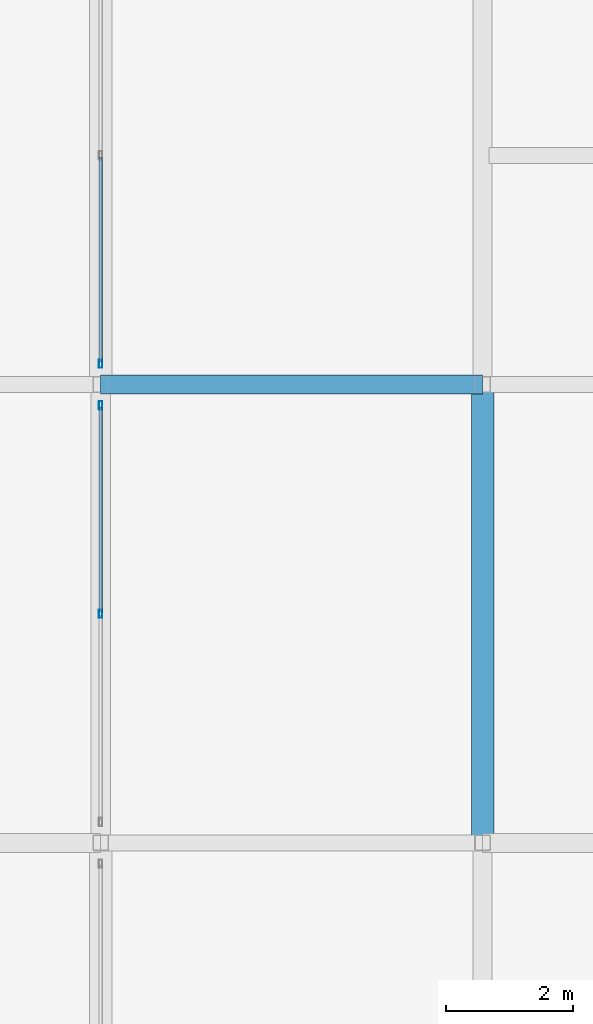
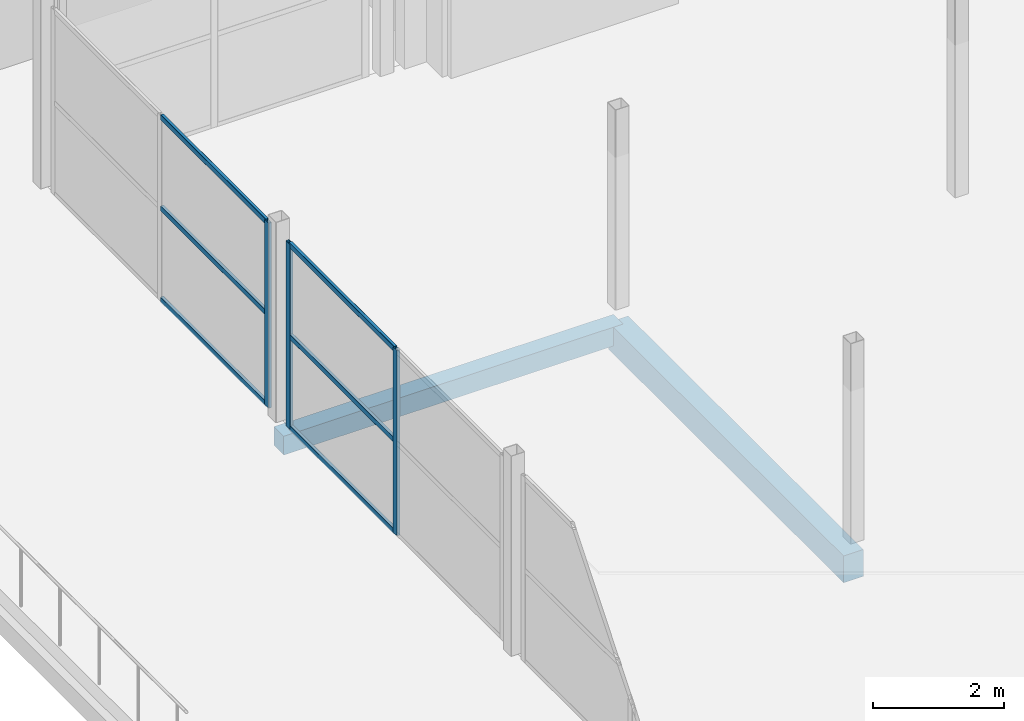
# One storey, part 33 of 239: 9 members, 2 beams, 2 elements without a shape of their own.
"""IFC4 building model written with IfcOpenShell, lengths in metres."""

import ifcopenshell
import ifcopenshell.guid

model = None  # the IFC model being written
_history = None  # IfcOwnerHistory: only IFC2X3 demands one
_inside = {}  # id of a spatial element -> (the spatial element, [elements in it])
_under = {}  # id of a project, library or spatial element -> (it, [spatial elements below it])
_declared = {}  # id of a project -> (the project, [libraries it declares])
_typed = {}  # id of a type object -> (the type object, [elements of that type])
_made_of = {}  # id of a material, layer set ... -> (it, [elements and type objects made of it])


def new_model(schema):
    """Start an empty IFC model of exactly this schema.

    Asked for "IFC4X3", IfcOpenShell would pick the latest addendum, in which some entities
    have other attributes; the version numbers below select the first issue.
    IFC2X3 requires an IfcOwnerHistory on every rooted entity: one is made here for all.
    """
    global model, _history
    if schema == "IFC4X3":
        model = ifcopenshell.file(schema_version=(4, 3, 0, 0))
    else:
        model = ifcopenshell.file(schema=schema)
    _inside.clear()
    _under.clear()
    _declared.clear()
    _typed.clear()
    _made_of.clear()
    _history = None
    if model.schema == "IFC2X3":
        org = make("IfcOrganization", Name="unknown")
        user = make(
            "IfcPersonAndOrganization",
            ThePerson=make("IfcPerson", FamilyName="unknown"),
            TheOrganization=org,
        )
        app = make(
            "IfcApplication",
            ApplicationDeveloper=org,
            Version="unknown",
            ApplicationFullName="unknown",
            ApplicationIdentifier="unknown",
        )
        _history = make(
            "IfcOwnerHistory",
            OwningUser=user,
            OwningApplication=app,
            ChangeAction="ADDED",
            CreationDate=0,
        )
    return model


def make(cls, **values):
    """One entity of the class cls with the attributes given. An attribute that is None is left unset."""
    return model.create_entity(
        cls, **{name: value for name, value in values.items() if value is not None}
    )


def rooted(cls, **values):
    """An entity with a GlobalId (a new one), such as an element, a storey or a relation."""
    return make(cls, GlobalId=ifcopenshell.guid.new(), OwnerHistory=_history, **values)


def si_unit(unit_type, name, prefix=None):
    """IfcSIUnit, for example si_unit("LENGTHUNIT", "METRE", prefix="MILLI")."""
    return make("IfcSIUnit", UnitType=unit_type, Prefix=prefix, Name=name)


def assignment(units):
    """IfcUnitAssignment: the units of a project."""
    return None if units is None else make("IfcUnitAssignment", Units=units)


def point(xyz):
    """IfcCartesianPoint."""
    return None if xyz is None else make("IfcCartesianPoint", Coordinates=xyz)


def direction(xyz):
    """IfcDirection."""
    return None if xyz is None else make("IfcDirection", DirectionRatios=xyz)


def frame(location, z_axis=None, x_axis=None):
    """IfcAxis2Placement3D, a coordinate frame: its origin and axes. An axis left out is left unset."""
    return make(
        "IfcAxis2Placement3D",
        Location=point(location),
        Axis=direction(z_axis),
        RefDirection=direction(x_axis),
    )


def frame_2d(location, x_axis=None):
    """IfcAxis2Placement2D, a coordinate frame in the plane: its origin and x axis."""
    return make(
        "IfcAxis2Placement2D", Location=point(location), RefDirection=direction(x_axis)
    )


def origin():
    """The frame at (0, 0, 0) with its axes left unset."""
    return frame((0.0, 0.0, 0.0))


def origin_2d():
    """The frame at (0, 0) in the plane with its x axis left unset."""
    return frame_2d((0.0, 0.0))


def place(relative_to, where):
    """IfcLocalPlacement: puts the frame where relative to a parent placement (None: the world)."""
    return make(
        "IfcLocalPlacement", PlacementRelTo=relative_to, RelativePlacement=where
    )


def context(
    kind, dimensions, precision=None, world=None, true_north=None, identifier=None
):
    """IfcGeometricRepresentationContext, for example the 3D "Model" context."""
    return make(
        "IfcGeometricRepresentationContext",
        ContextIdentifier=identifier,
        ContextType=kind,
        CoordinateSpaceDimension=dimensions,
        Precision=precision,
        WorldCoordinateSystem=world,
        TrueNorth=true_north,
    )


def subcontext(parent, identifier, kind, view, scale=None):
    """IfcGeometricRepresentationSubContext, for example "Body" below "Model"."""
    return make(
        "IfcGeometricRepresentationSubContext",
        ContextIdentifier=identifier,
        ContextType=kind,
        ParentContext=parent,
        TargetScale=scale,
        TargetView=view,
    )


def project(units=None, contexts=None):
    """IfcProject with its units and contexts."""
    return rooted(
        "IfcProject",
        Name="project",
        RepresentationContexts=contexts,
        UnitsInContext=assignment(units),
    )


def spatial(cls, under=None, at=None, **own):
    """A site, building, storey or space (cls), placed at a placement, below another one or the project."""
    s = rooted(cls, ObjectPlacement=at, **own)
    if under is not None:
        _under.setdefault(under.id(), (under, []))[1].append(s)
    return s


def profile(cls, at=None, kind="AREA", **sizes):
    """A parametric profile (cls). Its sizes go by their IFC names, for example OverallWidth=200.0."""
    return make(cls, ProfileType=kind, Position=at, **sizes)


def rectangle(**sizes):
    """IfcRectangleProfileDef."""
    return profile("IfcRectangleProfileDef", **sizes)


def hollow_rectangle(**sizes):
    """IfcRectangleHollowProfileDef."""
    return profile("IfcRectangleHollowProfileDef", **sizes)


def extrude(swept, where, along, depth):
    """IfcExtrudedAreaSolid: the profile swept, set in the frame where, extruded along a direction by depth."""
    return make(
        "IfcExtrudedAreaSolid",
        SweptArea=swept,
        Position=where,
        ExtrudedDirection=direction(along),
        Depth=depth,
    )


def shape(context_of_items, identifier, shape_type, items):
    """IfcShapeRepresentation: the items that make up one representation, for example the "Body"."""
    return make(
        "IfcShapeRepresentation",
        ContextOfItems=context_of_items,
        RepresentationIdentifier=identifier,
        RepresentationType=shape_type,
        Items=items,
    )


def material(Name=None, Category=None):
    """IfcMaterial."""
    return make("IfcMaterial", Name=Name, Category=Category)


def layer(
    of_material, thickness, ventilated=None, Name=None, Category=None, Priority=None
):
    """IfcMaterialLayer: one layer of a wall or slab, of a material (None: an air gap)."""
    return make(
        "IfcMaterialLayer",
        Material=of_material,
        LayerThickness=thickness,
        IsVentilated=ventilated,
        Name=Name,
        Category=Category,
        Priority=Priority,
    )


def layer_set(layers, Name=None):
    """IfcMaterialLayerSet."""
    return make("IfcMaterialLayerSet", MaterialLayers=layers, LayerSetName=Name)


def material_profile(
    of_material, cross_section, Name=None, Category=None, Priority=None
):
    """IfcMaterialProfile: a cross section and its material."""
    return make(
        "IfcMaterialProfile",
        Name=Name,
        Material=of_material,
        Profile=cross_section,
        Priority=Priority,
        Category=Category,
    )


def profile_set(profiles, Name=None, composite=None):
    """IfcMaterialProfileSet."""
    return make(
        "IfcMaterialProfileSet",
        Name=Name,
        MaterialProfiles=profiles,
        CompositeProfile=composite,
    )


def made_of(thing, what):
    """Note that an element or type object is made of a material, layer set ...; save() writes the relation."""
    if what is not None:
        _made_of.setdefault(what.id(), (what, []))[1].append(thing)
    return thing


def type_object(cls, material=None, **own):
    """A type object (cls), such as IfcWallType, which elements share."""
    return made_of(rooted(cls, **own), material)


def element(
    cls,
    number,
    at=None,
    inside=None,
    cuts=None,
    type_object=None,
    material=None,
    context=None,
    identifier="Body",
    shape_type=None,
    held_by="IfcProductDefinitionShape",
    body=None,
    shapes=None,
    **own,
):
    """One element of the class cls, such as IfcWall. Its Tag is "e" and its number.

    at: its placement. inside: the storey or other place that contains it. cuts: it is an
    opening in that element (IfcRelVoidsElement). A single representation is given by context,
    identifier, shape_type and body (its items); several are given by shapes. held_by: the class
    of the entity that holds the representations. save() writes the other relations.
    """
    e = rooted(cls, Tag="e%d" % number, ObjectPlacement=at, **own)
    if body is not None:
        shapes = [shape(context, identifier, shape_type, body)]
    if shapes is not None:
        e.Representation = make(held_by, Representations=shapes)
    if inside is not None:
        _inside.setdefault(inside.id(), (inside, []))[1].append(e)
    if cuts is not None:
        rooted(
            "IfcRelVoidsElement", RelatingBuildingElement=cuts, RelatedOpeningElement=e
        )
    if type_object is not None:
        _typed.setdefault(type_object.id(), (type_object, []))[1].append(e)
    return made_of(e, material)


def aggregate(whole, parts):
    """IfcRelAggregates: a whole, such as a stair, and the parts it consists of."""
    return rooted("IfcRelAggregates", RelatingObject=whole, RelatedObjects=parts)


def save(model, path):
    """Write the relations noted so far, then the file.

    IfcRelAggregates (storeys below a building ...), IfcRelContainedInSpatialStructure (elements
    in a storey), IfcRelDefinesByType, IfcRelAssociatesMaterial and IfcRelDeclares: one each for
    every whole, place, type object, material and project.
    """
    for whole, parts in _under.values():
        aggregate(whole, parts)
    for where, things in _inside.values():
        rooted(
            "IfcRelContainedInSpatialStructure",
            RelatedElements=things,
            RelatingStructure=where,
        )
    for kind, things in _typed.values():
        rooted("IfcRelDefinesByType", RelatedObjects=things, RelatingType=kind)
    for what, things in _made_of.values():
        rooted("IfcRelAssociatesMaterial", RelatedObjects=things, RelatingMaterial=what)
    for by, libraries in _declared.values():
        rooted("IfcRelDeclares", RelatingContext=by, RelatedDefinitions=libraries)
    model.write(path)


model = new_model("IFC4")

# Units and contexts
model_context = context("Model", 3, precision=1e-05, world=origin(), true_north=direction((0.0, 1.0)))
body_context = subcontext(model_context, "Body", "Model", "MODEL_VIEW")
ifc_project = project(units=[si_unit("LENGTHUNIT", "METRE"), si_unit("AREAUNIT", "SQUARE_METRE"), si_unit("VOLUMEUNIT", "CUBIC_METRE"), si_unit("PLANEANGLEUNIT", "RADIAN"), si_unit("MASSUNIT", "GRAM", prefix="KILO")], contexts=[model_context])

# Site, building, storey
site_placement = place(None, origin())
site = spatial("IfcSite", under=ifc_project, at=site_placement, CompositionType="ELEMENT")
building_placement = place(site_placement, origin())
building = spatial("IfcBuilding", under=site, at=building_placement, Name="Dunvalen Ferry Terminal", CompositionType="ELEMENT")
storey_placement = place(building_placement, frame((0.0, 0.0, 9.840087890625)))
storey = spatial("IfcBuildingStorey", under=building, at=storey_placement, Name="L02", CompositionType="ELEMENT", Elevation=9.840087890625)

# Curtain wall, members
ifc_material_1 = material(Name="Anodised marine aluminium and solar-control glazing", Category="aluminium")
ifc_layer = layer(ifc_material_1, 0.159912109375, Name="Anodised marine aluminium and solar-control glazing")
ifc_layer_set = layer_set([ifc_layer], Name="Anodised marine aluminium and solar-control glazing")
curtain_wall_type = type_object("IfcCurtainWallType", Name="ENV-CW-SYS-10", PredefinedType="NOTDEFINED", material=ifc_layer_set)
curtain_wall_1_placement = place(storey_placement, origin())
curtain_wall_1 = element("IfcCurtainWall", 1, at=curtain_wall_1_placement, inside=storey, type_object=curtain_wall_type, Name="L02 Curtain Wall CW-PAV-W-2", PredefinedType="NOTDEFINED")
ifc_material_2 = material(Name="Anodised marine aluminium EN AW-6063 T6", Category="aluminium")
ifc_material_profile_1 = material_profile(ifc_material_2, hollow_rectangle(XDim=0.054931640625, YDim=0.1298828125, WallThickness=0.003173828125, InnerFilletRadius=0.003173828125, OuterFilletRadius=0.00634765625, at=origin_2d()), Name="Anodised marine aluminium EN AW-6063 T6")
ifc_profile_set_1 = profile_set([ifc_material_profile_1], Name="Anodised marine aluminium EN AW-6063 T6")
member_type_1 = type_object("IfcMemberType", Name="ENV-CW-MUL-4", PredefinedType="MULLION", material=ifc_profile_set_1)
member_1_placement = place(storey_placement, frame((114.0, 25.199951171875, 0.0), z_axis=(0.0, 0.0, 1.0), x_axis=(-1.0, 0.0, 0.0)))
member_1 = element("IfcMember", 2, at=member_1_placement, type_object=member_type_1, Name="CW-10 mullion 2", PredefinedType="MULLION", context=body_context, shape_type="SweptSolid", body=[
    extrude(hollow_rectangle(XDim=0.054931640625, YDim=0.1298828125, WallThickness=0.003173828125, InnerFilletRadius=0.003173828125, OuterFilletRadius=0.00634765625, at=origin_2d()), origin(), (0.0, 0.0, 1.0), 3.4599609375),
])
member_2_placement = place(storey_placement, frame((114.0, 28.472412109375, 0.0), z_axis=(0.0, 0.0, 1.0), x_axis=(-1.0, 0.0, 0.0)))
member_2 = element("IfcMember", 3, at=member_2_placement, type_object=member_type_1, Name="CW-10 mullion 3", PredefinedType="MULLION", context=body_context, shape_type="SweptSolid", body=[
    extrude(hollow_rectangle(XDim=0.054931640625, YDim=0.1298828125, WallThickness=0.003173828125, InnerFilletRadius=0.003173828125, OuterFilletRadius=0.00634765625, at=origin_2d()), origin(), (0.0, 0.0, 1.0), 3.4599609375),
])

# Curtain wall, member
curtain_wall_2_placement = place(storey_placement, origin())
curtain_wall_2 = element("IfcCurtainWall", 4, at=curtain_wall_2_placement, inside=storey, type_object=curtain_wall_type, Name="L02 Curtain Wall CW-PAV-W-3", PredefinedType="NOTDEFINED")
member_3_placement = place(storey_placement, frame((114.0, 29.12744140625, 0.0), z_axis=(0.0, 0.0, 1.0), x_axis=(-1.0, 0.0, 0.0)))
member_3 = element("IfcMember", 5, at=member_3_placement, type_object=member_type_1, Name="CW-10 mullion 1", PredefinedType="MULLION", context=body_context, shape_type="SweptSolid", body=[
    extrude(hollow_rectangle(XDim=0.054931640625, YDim=0.1298828125, WallThickness=0.003173828125, InnerFilletRadius=0.003173828125, OuterFilletRadius=0.00634765625, at=origin_2d()), origin(), (0.0, 0.0, 1.0), 3.4599609375),
])

# Member
ifc_material_profile_2 = material_profile(ifc_material_2, hollow_rectangle(XDim=0.054931640625, YDim=0.10009765625, WallThickness=0.0029296875, InnerFilletRadius=0.0029296875, OuterFilletRadius=0.006103515625, at=origin_2d()), Name="Anodised marine aluminium EN AW-6063 T6")
ifc_profile_set_2 = profile_set([ifc_material_profile_2], Name="Anodised marine aluminium EN AW-6063 T6")
member_type_2 = type_object("IfcMemberType", Name="ENV-CW-TRN-4", PredefinedType="USERDEFINED", material=ifc_profile_set_2)
member_4_placement = place(storey_placement, frame((114.0, 25.2275390625, 0.02734375), z_axis=(0.0, 1.0, 0.0), x_axis=(-1.0, 0.0, 0.0)))
member_4 = element("IfcMember", 6, at=member_4_placement, type_object=member_type_2, Name="CW-10 transom 2.1", ObjectType="TRANSOM", PredefinedType="USERDEFINED", context=body_context, shape_type="SweptSolid", body=[
    extrude(hollow_rectangle(XDim=0.054931640625, YDim=0.10009765625, WallThickness=0.0029296875, InnerFilletRadius=0.0029296875, OuterFilletRadius=0.006103515625, at=origin_2d()), origin(), (0.0, 0.0, 1.0), 3.217529296875),
])

member_5_placement = place(storey_placement, frame((114.0, 25.2275390625, 1.72998046875), z_axis=(0.0, 1.0, 0.0), x_axis=(-1.0, 0.0, 0.0)))
member_5 = element("IfcMember", 7, at=member_5_placement, type_object=member_type_2, Name="CW-10 transom 2.2", ObjectType="TRANSOM", PredefinedType="USERDEFINED", context=body_context, shape_type="SweptSolid", body=[
    extrude(hollow_rectangle(XDim=0.054931640625, YDim=0.10009765625, WallThickness=0.0029296875, InnerFilletRadius=0.0029296875, OuterFilletRadius=0.006103515625, at=origin_2d()), origin(), (0.0, 0.0, 1.0), 3.217529296875),
])

member_6_placement = place(storey_placement, frame((114.0, 25.2275390625, 3.432373046875), z_axis=(0.0, 1.0, 0.0), x_axis=(-1.0, 0.0, 0.0)))
member_6 = element("IfcMember", 8, at=member_6_placement, type_object=member_type_2, Name="CW-10 transom 2.3", ObjectType="TRANSOM", PredefinedType="USERDEFINED", context=body_context, shape_type="SweptSolid", body=[
    extrude(hollow_rectangle(XDim=0.054931640625, YDim=0.10009765625, WallThickness=0.0029296875, InnerFilletRadius=0.0029296875, OuterFilletRadius=0.006103515625, at=origin_2d()), origin(), (0.0, 0.0, 1.0), 3.217529296875),
])

aggregate(curtain_wall_1, [member_1, member_2, member_4, member_5, member_6])

member_7_placement = place(storey_placement, frame((114.0, 29.155029296875, 0.02734375), z_axis=(0.0, 1.0, 0.0), x_axis=(-1.0, 0.0, 0.0)))
member_7 = element("IfcMember", 9, at=member_7_placement, type_object=member_type_2, Name="CW-10 transom 1.1", ObjectType="TRANSOM", PredefinedType="USERDEFINED", context=body_context, shape_type="SweptSolid", body=[
    extrude(hollow_rectangle(XDim=0.054931640625, YDim=0.10009765625, WallThickness=0.0029296875, InnerFilletRadius=0.0029296875, OuterFilletRadius=0.006103515625, at=origin_2d()), origin(), (0.0, 0.0, 1.0), 3.217529296875),
])

member_8_placement = place(storey_placement, frame((114.0, 29.155029296875, 1.72998046875), z_axis=(0.0, 1.0, 0.0), x_axis=(-1.0, 0.0, 0.0)))
member_8 = element("IfcMember", 10, at=member_8_placement, type_object=member_type_2, Name="CW-10 transom 1.2", ObjectType="TRANSOM", PredefinedType="USERDEFINED", context=body_context, shape_type="SweptSolid", body=[
    extrude(hollow_rectangle(XDim=0.054931640625, YDim=0.10009765625, WallThickness=0.0029296875, InnerFilletRadius=0.0029296875, OuterFilletRadius=0.006103515625, at=origin_2d()), origin(), (0.0, 0.0, 1.0), 3.217529296875),
])

member_9_placement = place(storey_placement, frame((114.0, 29.155029296875, 3.432373046875), z_axis=(0.0, 1.0, 0.0), x_axis=(-1.0, 0.0, 0.0)))
member_9 = element("IfcMember", 11, at=member_9_placement, type_object=member_type_2, Name="CW-10 transom 1.3", ObjectType="TRANSOM", PredefinedType="USERDEFINED", context=body_context, shape_type="SweptSolid", body=[
    extrude(hollow_rectangle(XDim=0.054931640625, YDim=0.10009765625, WallThickness=0.0029296875, InnerFilletRadius=0.0029296875, OuterFilletRadius=0.006103515625, at=origin_2d()), origin(), (0.0, 0.0, 1.0), 3.217529296875),
])

aggregate(curtain_wall_2, [member_3, member_7, member_8, member_9])

# Beams
ifc_material_3 = material(Name="Concrete C35/45", Category="concrete")
ifc_material_profile_3 = material_profile(ifc_material_3, rectangle(XDim=0.35009765625, YDim=0.5, at=origin_2d()), Name="Concrete C35/45")
ifc_profile_set_3 = profile_set([ifc_material_profile_3], Name="Concrete C35/45")
beam_type_1 = type_object("IfcBeamType", Name="STR-BM-RCB500W", PredefinedType="JOIST", material=ifc_profile_set_3)
beam_1_placement = place(storey_placement, frame((120.0, 21.60009765625, -0.530029296875), z_axis=(0.0, 1.0, 0.0), x_axis=(-1.0, 0.0, 0.0)))
element("IfcBeam", 12, at=beam_1_placement, inside=storey, type_object=beam_type_1, Name="L02 V4 Primary Girder Y-077", PredefinedType="JOIST", context=body_context, shape_type="SweptSolid", body=[
    extrude(rectangle(XDim=0.35009765625, YDim=0.5, at=origin_2d()), origin(), (0.0, 0.0, 1.0), 7.199951171875),
])
ifc_material_4 = material(Name="Concrete C40/50", Category="concrete")
ifc_material_profile_4 = material_profile(ifc_material_4, rectangle(XDim=0.300048828125, YDim=0.35009765625, at=origin_2d()), Name="Concrete C40/50")
ifc_profile_set_4 = profile_set([ifc_material_profile_4], Name="Concrete C40/50")
beam_type_2 = type_object("IfcBeamType", Name="STR-BM-RCL350", PredefinedType="LINTEL", material=ifc_profile_set_4)
beam_2_placement = place(storey_placement, frame((114.0, 28.800048828125, -0.455078125), z_axis=(1.0, 0.0, 0.0), x_axis=(0.0, 1.0, 0.0)))
element("IfcBeam", 13, at=beam_2_placement, inside=storey, type_object=beam_type_2, Name="L02 V4 Primary Beam X-038", PredefinedType="LINTEL", context=body_context, shape_type="SweptSolid", body=[
    extrude(rectangle(XDim=0.300048828125, YDim=0.35009765625, at=origin_2d()), origin(), (0.0, 0.0, 1.0), 6.0),
])

save(model, "model.ifc")
